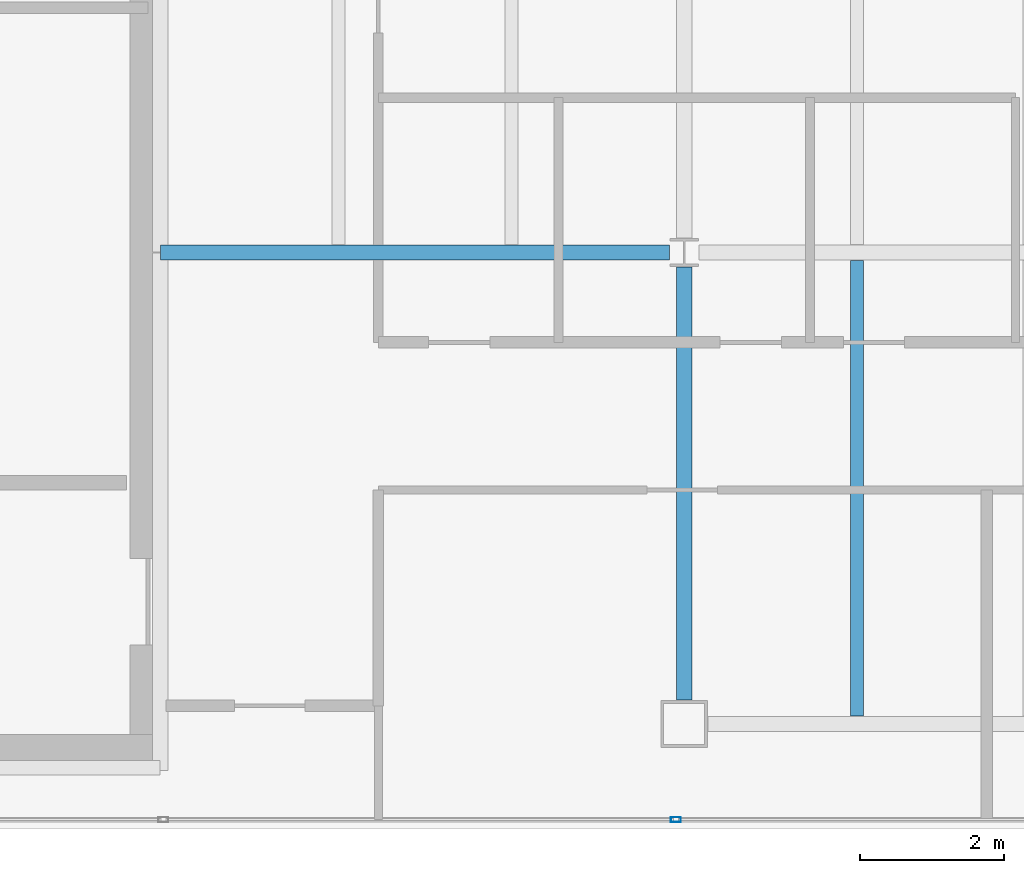
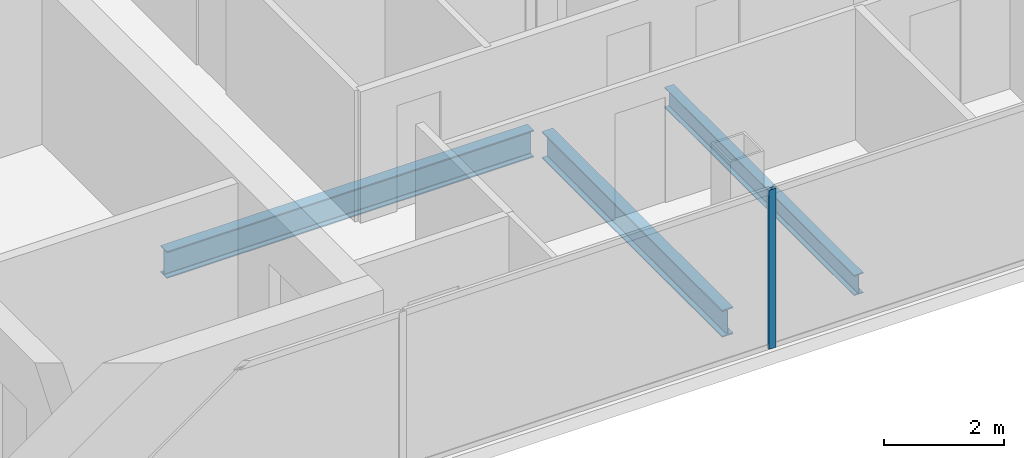
# One storey, part 5 of 23: 3 beams, 1 member, 1 element without a shape of its own.
"""IFC4 building model written with IfcOpenShell, lengths in metres."""

from ifc_helpers import new_model, si_unit, direction, frame, origin, origin_2d, place, context, subcontext, project, spatial, hollow_rectangle, i_section, extrude, material, material_profile, profile_set, type_object, element, aggregate, save


model = new_model("IFC4")

# Units and contexts
model_context = context("Model", 3, precision=1e-05, world=origin(), true_north=direction((0.0, 1.0)))
body_context = subcontext(model_context, "Body", "Model", "MODEL_VIEW")
ifc_project = project(units=[si_unit("LENGTHUNIT", "METRE"), si_unit("AREAUNIT", "SQUARE_METRE"), si_unit("VOLUMEUNIT", "CUBIC_METRE"), si_unit("PLANEANGLEUNIT", "RADIAN"), si_unit("MASSUNIT", "GRAM", prefix="KILO")], contexts=[model_context])

# Site, building, storey
site_placement = place(None, origin())
site = spatial("IfcSite", under=ifc_project, at=site_placement, CompositionType="ELEMENT")
building_placement = place(site_placement, origin())
building = spatial("IfcBuilding", under=site, at=building_placement, Name="Cobrela Telecom Tower", CompositionType="ELEMENT")
storey_placement = place(building_placement, frame((0.0, 0.0, 276.14990234375)))
storey = spatial("IfcBuildingStorey", under=building, at=storey_placement, Name="L72", CompositionType="ELEMENT", Elevation=276.14990234375)

# Beams
ifc_material_1 = material(Name="Steel ASTM A992 Grade 50", Category="steel")
ifc_material_profile_1 = material_profile(ifc_material_1, i_section(OverallWidth=0.212890625, OverallDepth=0.549072265625, WebThickness=0.0146484375, FlangeThickness=0.023681640625, FilletRadius=0.013916015625, at=origin_2d()), Name="W21X93")
ifc_profile_set_1 = profile_set([ifc_material_profile_1], Name="Steel ASTM A992 Grade 50")
beam_type_1 = type_object("IfcBeamType", Name="BM-GIRD-08", PredefinedType="USERDEFINED", material=ifc_profile_set_1)
beam_1_placement = place(storey_placement, frame((14.324951171875, 14.39990234375, -0.534423828125), z_axis=(1.0, 0.0, 0.0), x_axis=(0.0, 1.0, 0.0)))
element("IfcBeam", 1, at=beam_1_placement, inside=storey, type_object=beam_type_1, Name="L72 Primary Girder X05", ObjectType="GIRDER", PredefinedType="USERDEFINED", context=body_context, shape_type="SweptSolid", body=[
    extrude(i_section(OverallWidth=0.212890625, OverallDepth=0.549072265625, WebThickness=0.0146484375, FlangeThickness=0.023681640625, FilletRadius=0.013916015625, at=origin_2d()), origin(), (0.0, 0.0, 1.0), 7.070556640625),
])
beam_2_placement = place(storey_placement, frame((21.60009765625, 8.179931640625, -0.534423828125), z_axis=(0.0, 1.0, 0.0), x_axis=(-1.0, 0.0, 0.0)))
element("IfcBeam", 2, at=beam_2_placement, inside=storey, type_object=beam_type_1, Name="L72 Primary Girder Y27", ObjectType="GIRDER", PredefinedType="USERDEFINED", context=body_context, shape_type="SweptSolid", body=[
    extrude(i_section(OverallWidth=0.212890625, OverallDepth=0.549072265625, WebThickness=0.0146484375, FlangeThickness=0.023681640625, FilletRadius=0.013916015625, at=origin_2d()), origin(), (0.0, 0.0, 1.0), 6.015625),
])
ifc_material_profile_2 = material_profile(ifc_material_1, i_section(OverallWidth=0.179931640625, OverallDepth=0.4169921875, WebThickness=0.010986328125, FlangeThickness=0.01806640625, FilletRadius=0.011962890625, at=origin_2d()), Name="W16X57")
ifc_profile_set_2 = profile_set([ifc_material_profile_2], Name="Steel ASTM A992 Grade 50")
beam_type_2 = type_object("IfcBeamType", Name="BM-JOIST-04", PredefinedType="JOIST", material=ifc_profile_set_2)
beam_3_placement = place(storey_placement, frame((24.0, 7.96142578125, -0.468505859375), z_axis=(0.0, 1.0, 0.0), x_axis=(-1.0, 0.0, 0.0)))
element("IfcBeam", 3, at=beam_3_placement, inside=storey, type_object=beam_type_2, Name="L72 Secondary Composite Floor Beam J07", PredefinedType="JOIST", context=body_context, shape_type="SweptSolid", body=[
    extrude(i_section(OverallWidth=0.179931640625, OverallDepth=0.4169921875, WebThickness=0.010986328125, FlangeThickness=0.01806640625, FilletRadius=0.011962890625, at=origin_2d()), origin(), (0.0, 0.0, 1.0), 6.3271484375),
])

# Curtain wall, member
ifc_material_2 = material(Name="Anodized Bronze Aluminium 6063-T6", Category="aluminium")
curtain_wall_type = type_object("IfcCurtainWallType", Name="CW-SYS-OFF-HI", PredefinedType="USERDEFINED", material=ifc_material_2)
curtain_wall_placement = place(storey_placement, origin())
curtain_wall = element("IfcCurtainWall", 4, at=curtain_wall_placement, inside=storey, type_object=curtain_wall_type, Name="L72 Unitised Bronze Curtain Wall 15", ObjectType="UNITISED CURTAIN WALL", PredefinedType="USERDEFINED")
ifc_material_profile_3 = material_profile(ifc_material_2, hollow_rectangle(XDim=0.070068359375, YDim=0.139892578125, WallThickness=0.00390625, at=origin_2d()), Name="ALU 70x140x4")
ifc_profile_set_3 = profile_set([ifc_material_profile_3], Name="Anodized Bronze Aluminium 6063-T6")
member_type = type_object("IfcMemberType", Name="CW-SYS-OFF-HI-MUL", PredefinedType="MULLION", material=ifc_profile_set_3)
member_placement = place(storey_placement, frame((21.485107421875, 6.52001953125, 0.0), z_axis=(0.0, 0.0, 1.0), x_axis=(0.0, -1.0, 0.0)))
member = element("IfcMember", 5, at=member_placement, type_object=member_type, Name="CW-OFF-HI mullion 4", PredefinedType="MULLION", context=body_context, shape_type="SweptSolid", body=[
    extrude(hollow_rectangle(XDim=0.070068359375, YDim=0.139892578125, WallThickness=0.00390625, at=origin_2d()), origin(), (0.0, 0.0, 1.0), 3.239990234375),
])
aggregate(curtain_wall, [member])

save(model, "model.ifc")
